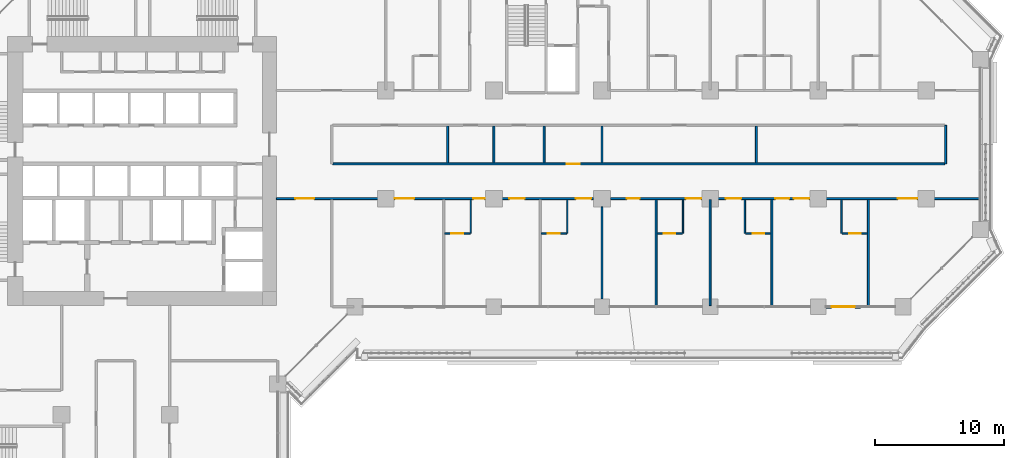
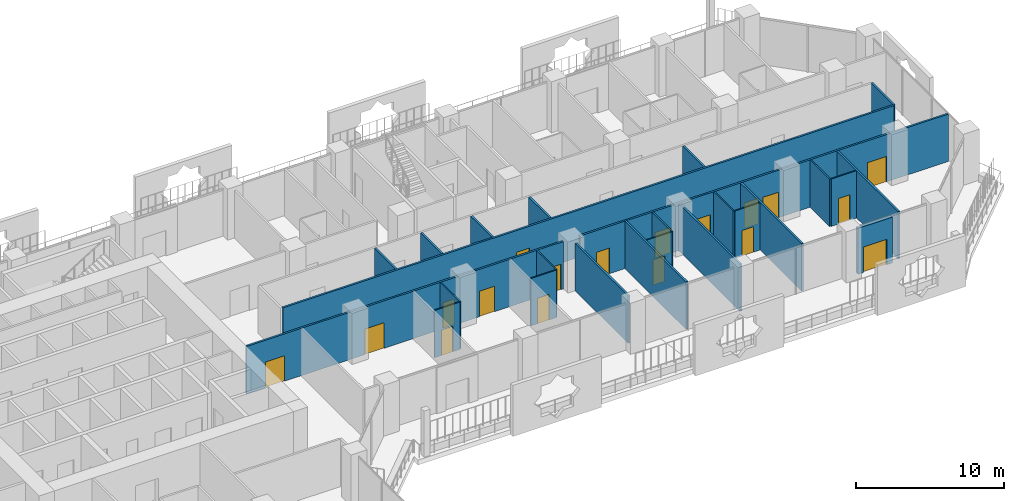
# One storey, part 16 of 28: 25 walls, 18 doors, 18 openings.
"""IFC4 building model written with IfcOpenShell, lengths in metres."""

import ifcopenshell
import ifcopenshell.guid

model = None  # the IFC model being written
_history = None  # IfcOwnerHistory: only IFC2X3 demands one
_inside = {}  # id of a spatial element -> (the spatial element, [elements in it])
_under = {}  # id of a project, library or spatial element -> (it, [spatial elements below it])
_declared = {}  # id of a project -> (the project, [libraries it declares])
_typed = {}  # id of a type object -> (the type object, [elements of that type])
_made_of = {}  # id of a material, layer set ... -> (it, [elements and type objects made of it])


def new_model(schema):
    """Start an empty IFC model of exactly this schema.

    Asked for "IFC4X3", IfcOpenShell would pick the latest addendum, in which some entities
    have other attributes; the version numbers below select the first issue.
    IFC2X3 requires an IfcOwnerHistory on every rooted entity: one is made here for all.
    """
    global model, _history
    if schema == "IFC4X3":
        model = ifcopenshell.file(schema_version=(4, 3, 0, 0))
    else:
        model = ifcopenshell.file(schema=schema)
    _inside.clear()
    _under.clear()
    _declared.clear()
    _typed.clear()
    _made_of.clear()
    _history = None
    if model.schema == "IFC2X3":
        org = make("IfcOrganization", Name="unknown")
        user = make(
            "IfcPersonAndOrganization",
            ThePerson=make("IfcPerson", FamilyName="unknown"),
            TheOrganization=org,
        )
        app = make(
            "IfcApplication",
            ApplicationDeveloper=org,
            Version="unknown",
            ApplicationFullName="unknown",
            ApplicationIdentifier="unknown",
        )
        _history = make(
            "IfcOwnerHistory",
            OwningUser=user,
            OwningApplication=app,
            ChangeAction="ADDED",
            CreationDate=0,
        )
    return model


def make(cls, **values):
    """One entity of the class cls with the attributes given. An attribute that is None is left unset."""
    return model.create_entity(
        cls, **{name: value for name, value in values.items() if value is not None}
    )


def rooted(cls, **values):
    """An entity with a GlobalId (a new one), such as an element, a storey or a relation."""
    return make(cls, GlobalId=ifcopenshell.guid.new(), OwnerHistory=_history, **values)


def si_unit(unit_type, name, prefix=None):
    """IfcSIUnit, for example si_unit("LENGTHUNIT", "METRE", prefix="MILLI")."""
    return make("IfcSIUnit", UnitType=unit_type, Prefix=prefix, Name=name)


def assignment(units):
    """IfcUnitAssignment: the units of a project."""
    return None if units is None else make("IfcUnitAssignment", Units=units)


def point(xyz):
    """IfcCartesianPoint."""
    return None if xyz is None else make("IfcCartesianPoint", Coordinates=xyz)


def direction(xyz):
    """IfcDirection."""
    return None if xyz is None else make("IfcDirection", DirectionRatios=xyz)


def frame(location, z_axis=None, x_axis=None):
    """IfcAxis2Placement3D, a coordinate frame: its origin and axes. An axis left out is left unset."""
    return make(
        "IfcAxis2Placement3D",
        Location=point(location),
        Axis=direction(z_axis),
        RefDirection=direction(x_axis),
    )


def frame_2d(location, x_axis=None):
    """IfcAxis2Placement2D, a coordinate frame in the plane: its origin and x axis."""
    return make(
        "IfcAxis2Placement2D", Location=point(location), RefDirection=direction(x_axis)
    )


def origin():
    """The frame at (0, 0, 0) with its axes left unset."""
    return frame((0.0, 0.0, 0.0))


def place(relative_to, where):
    """IfcLocalPlacement: puts the frame where relative to a parent placement (None: the world)."""
    return make(
        "IfcLocalPlacement", PlacementRelTo=relative_to, RelativePlacement=where
    )


def context(
    kind, dimensions, precision=None, world=None, true_north=None, identifier=None
):
    """IfcGeometricRepresentationContext, for example the 3D "Model" context."""
    return make(
        "IfcGeometricRepresentationContext",
        ContextIdentifier=identifier,
        ContextType=kind,
        CoordinateSpaceDimension=dimensions,
        Precision=precision,
        WorldCoordinateSystem=world,
        TrueNorth=true_north,
    )


def subcontext(parent, identifier, kind, view, scale=None):
    """IfcGeometricRepresentationSubContext, for example "Body" below "Model"."""
    return make(
        "IfcGeometricRepresentationSubContext",
        ContextIdentifier=identifier,
        ContextType=kind,
        ParentContext=parent,
        TargetScale=scale,
        TargetView=view,
    )


def project(units=None, contexts=None):
    """IfcProject with its units and contexts."""
    return rooted(
        "IfcProject",
        Name="project",
        RepresentationContexts=contexts,
        UnitsInContext=assignment(units),
    )


def spatial(cls, under=None, at=None, **own):
    """A site, building, storey or space (cls), placed at a placement, below another one or the project."""
    s = rooted(cls, ObjectPlacement=at, **own)
    if under is not None:
        _under.setdefault(under.id(), (under, []))[1].append(s)
    return s


def profile(cls, at=None, kind="AREA", **sizes):
    """A parametric profile (cls). Its sizes go by their IFC names, for example OverallWidth=200.0."""
    return make(cls, ProfileType=kind, Position=at, **sizes)


def rectangle(**sizes):
    """IfcRectangleProfileDef."""
    return profile("IfcRectangleProfileDef", **sizes)


def extrude(swept, where, along, depth):
    """IfcExtrudedAreaSolid: the profile swept, set in the frame where, extruded along a direction by depth."""
    return make(
        "IfcExtrudedAreaSolid",
        SweptArea=swept,
        Position=where,
        ExtrudedDirection=direction(along),
        Depth=depth,
    )


def shape(context_of_items, identifier, shape_type, items):
    """IfcShapeRepresentation: the items that make up one representation, for example the "Body"."""
    return make(
        "IfcShapeRepresentation",
        ContextOfItems=context_of_items,
        RepresentationIdentifier=identifier,
        RepresentationType=shape_type,
        Items=items,
    )


def material(Name=None, Category=None):
    """IfcMaterial."""
    return make("IfcMaterial", Name=Name, Category=Category)


def layer(
    of_material, thickness, ventilated=None, Name=None, Category=None, Priority=None
):
    """IfcMaterialLayer: one layer of a wall or slab, of a material (None: an air gap)."""
    return make(
        "IfcMaterialLayer",
        Material=of_material,
        LayerThickness=thickness,
        IsVentilated=ventilated,
        Name=Name,
        Category=Category,
        Priority=Priority,
    )


def layer_set(layers, Name=None):
    """IfcMaterialLayerSet."""
    return make("IfcMaterialLayerSet", MaterialLayers=layers, LayerSetName=Name)


def made_of(thing, what):
    """Note that an element or type object is made of a material, layer set ...; save() writes the relation."""
    if what is not None:
        _made_of.setdefault(what.id(), (what, []))[1].append(thing)
    return thing


def type_object(cls, material=None, **own):
    """A type object (cls), such as IfcWallType, which elements share."""
    return made_of(rooted(cls, **own), material)


def element(
    cls,
    number,
    at=None,
    inside=None,
    cuts=None,
    type_object=None,
    material=None,
    context=None,
    identifier="Body",
    shape_type=None,
    held_by="IfcProductDefinitionShape",
    body=None,
    shapes=None,
    **own,
):
    """One element of the class cls, such as IfcWall. Its Tag is "e" and its number.

    at: its placement. inside: the storey or other place that contains it. cuts: it is an
    opening in that element (IfcRelVoidsElement). A single representation is given by context,
    identifier, shape_type and body (its items); several are given by shapes. held_by: the class
    of the entity that holds the representations. save() writes the other relations.
    """
    e = rooted(cls, Tag="e%d" % number, ObjectPlacement=at, **own)
    if body is not None:
        shapes = [shape(context, identifier, shape_type, body)]
    if shapes is not None:
        e.Representation = make(held_by, Representations=shapes)
    if inside is not None:
        _inside.setdefault(inside.id(), (inside, []))[1].append(e)
    if cuts is not None:
        rooted(
            "IfcRelVoidsElement", RelatingBuildingElement=cuts, RelatedOpeningElement=e
        )
    if type_object is not None:
        _typed.setdefault(type_object.id(), (type_object, []))[1].append(e)
    return made_of(e, material)


def fill(opening, filler):
    """IfcRelFillsElement: the door or window that sits in an opening."""
    return rooted(
        "IfcRelFillsElement",
        RelatingOpeningElement=opening,
        RelatedBuildingElement=filler,
    )


def aggregate(whole, parts):
    """IfcRelAggregates: a whole, such as a stair, and the parts it consists of."""
    return rooted("IfcRelAggregates", RelatingObject=whole, RelatedObjects=parts)


def save(model, path):
    """Write the relations noted so far, then the file.

    IfcRelAggregates (storeys below a building ...), IfcRelContainedInSpatialStructure (elements
    in a storey), IfcRelDefinesByType, IfcRelAssociatesMaterial and IfcRelDeclares: one each for
    every whole, place, type object, material and project.
    """
    for whole, parts in _under.values():
        aggregate(whole, parts)
    for where, things in _inside.values():
        rooted(
            "IfcRelContainedInSpatialStructure",
            RelatedElements=things,
            RelatingStructure=where,
        )
    for kind, things in _typed.values():
        rooted("IfcRelDefinesByType", RelatedObjects=things, RelatingType=kind)
    for what, things in _made_of.values():
        rooted("IfcRelAssociatesMaterial", RelatedObjects=things, RelatingMaterial=what)
    for by, libraries in _declared.values():
        rooted("IfcRelDeclares", RelatingContext=by, RelatedDefinitions=libraries)
    model.write(path)


model = new_model("IFC4")

# Units and contexts
model_context = context("Model", 3, precision=1e-05, world=origin(), true_north=direction((0.0, 1.0)))
body_context = subcontext(model_context, "Body", "Model", "MODEL_VIEW")
ifc_project = project(units=[si_unit("LENGTHUNIT", "METRE"), si_unit("AREAUNIT", "SQUARE_METRE"), si_unit("VOLUMEUNIT", "CUBIC_METRE"), si_unit("PLANEANGLEUNIT", "RADIAN"), si_unit("MASSUNIT", "GRAM", prefix="KILO")], contexts=[model_context])

# Site, building, storey
site_placement = place(None, origin())
site = spatial("IfcSite", under=ifc_project, at=site_placement, CompositionType="ELEMENT")
building_placement = place(site_placement, origin())
building = spatial("IfcBuilding", under=site, at=building_placement, Name="Kawkab Arch Medical Tower", CompositionType="ELEMENT")
storey_placement = place(building_placement, frame((0.0, 0.0, 68.60009765625)))
storey = spatial("IfcBuildingStorey", under=building, at=storey_placement, Name="L15", CompositionType="ELEMENT", Elevation=68.60009765625)

# Wall, opening, door
ifc_material_1 = material(Name="Bronze clad insulated wall panel")
ifc_layer_1 = layer(ifc_material_1, 0.25)
ifc_layer_set_1 = layer_set([ifc_layer_1], Name="Bronze clad insulated wall panel")
wall_type_1 = type_object("IfcWallType", Name="External wall bay 250", PredefinedType="SOLIDWALL", material=ifc_layer_set_1)
wall_1_placement = place(storey_placement, frame((67.800048828125, -25.199951171875, 0.0), z_axis=(0.0, 0.0, 1.0), x_axis=(1.0, 0.0, 0.0)))
wall_1 = element("IfcWall", 1, at=wall_1_placement, inside=storey, type_object=wall_type_1, Name="External wall bay L15.R07.5.1", PredefinedType="SOLIDWALL", context=body_context, shape_type="SweptSolid", body=[
    extrude(rectangle(XDim=2.6875, YDim=0.25, at=frame_2d((1.34375, 0.0))), origin(), (0.0, 0.0, 1.0), 3.77978515625),
])
opening_1_placement = place(wall_1_placement, frame((0.443603515625, 0.0, 0.0)))
opening_1 = element("IfcOpeningElement", 2, at=opening_1_placement, cuts=wall_1, Name="Opening W15A-702", PredefinedType="OPENING", context=body_context, shape_type="SweptSolid", body=[
    extrude(rectangle(XDim=1.800048828125, YDim=2.10009765625, at=frame_2d((0.89990234375, 1.050048828125))), frame((0.0, 0.135009765625, 0.0), z_axis=(0.0, -1.0, 0.0), x_axis=(1.0, 0.0, 0.0)), (0.0, 0.0, 1.0), 0.27001953125),
])
ifc_material_2 = material(Name="Bronze anodised aluminium door with tinted glass", Category="aluminium")
door_type_1 = type_object("IfcDoorType", Name="Double external door 1800 x 2100", OperationType="DOUBLE_DOOR_SINGLE_SWING", PredefinedType="DOOR", material=ifc_material_2)
door_1_placement = place(opening_1_placement, origin())
door_1 = element("IfcDoor", 3, at=door_1_placement, inside=storey, type_object=door_type_1, Name="External door L15.R07.5.1", OperationType="DOUBLE_DOOR_SINGLE_SWING", OverallHeight=2.10009765625, OverallWidth=1.800048828125, PredefinedType="DOOR", context=body_context, shape_type="SweptSolid", body=[
    extrude(rectangle(XDim=1.800048828125, YDim=2.10009765625, at=frame_2d((0.89990234375, 1.050048828125))), frame((0.0, 0.02490234375, 0.0), z_axis=(0.0, -1.0, 0.0), x_axis=(1.0, 0.0, 0.0)), (0.0, 0.0, 1.0), 0.050048828125),
])
fill(opening_1, door_1)

ifc_material_3 = material(Name="Gypsum board partition on steel studs", Category="steel")
ifc_layer_2 = layer(ifc_material_3, 0.10009765625)
ifc_layer_set_2 = layer_set([ifc_layer_2], Name="Gypsum board partition on steel studs")
wall_type_2 = type_object("IfcWallType", Name="Partition 100", PredefinedType="PARTITIONING", material=ifc_layer_set_2)
wall_2_placement = place(storey_placement, frame((38.175048828125, -19.5, 0.0), z_axis=(0.0, 0.0, 1.0), x_axis=(1.0, 0.0, 0.0)))
wall_2 = element("IfcWall", 4, at=wall_2_placement, inside=storey, type_object=wall_type_2, Name="Partition 100 w009", PredefinedType="PARTITIONING", context=body_context, shape_type="SweptSolid", body=[
    extrude(rectangle(XDim=1.972900390625, YDim=0.10009765625, at=frame_2d((0.986328125, 0.0))), origin(), (0.0, 0.0, 1.0), 3.89990234375),
])
opening_2_placement = place(wall_2_placement, frame((0.52392578125, 0.0, 0.0)))
opening_2 = element("IfcOpeningElement", 5, at=opening_2_placement, cuts=wall_2, Name="Opening W15A-014", PredefinedType="OPENING", context=body_context, shape_type="SweptSolid", body=[
    extrude(rectangle(XDim=0.89990234375, YDim=2.10009765625, at=frame_2d((0.449951171875, 1.050048828125))), frame((0.0, 0.06005859375, 0.0), z_axis=(0.0, -1.0, 0.0), x_axis=(1.0, 0.0, 0.0)), (0.0, 0.0, 1.0), 0.1201171875),
])
ifc_material_4 = material(Name="Timber door leaf", Category="wood")
door_type_2 = type_object("IfcDoorType", Name="Single door 900x2100", OperationType="NOTDEFINED", PredefinedType="DOOR", material=ifc_material_4)
door_2_placement = place(opening_2_placement, origin())
door_2 = element("IfcDoor", 6, at=door_2_placement, inside=storey, type_object=door_type_2, Name="Door W15A-014", OperationType="SINGLE_SWING_RIGHT", OverallHeight=2.10009765625, OverallWidth=0.89990234375, PredefinedType="DOOR", context=body_context, shape_type="SweptSolid", body=[
    extrude(rectangle(XDim=0.89990234375, YDim=2.10009765625, at=frame_2d((0.449951171875, 1.050048828125))), frame((0.0, 0.02490234375, 0.0), z_axis=(0.0, -1.0, 0.0), x_axis=(1.0, 0.0, 0.0)), (0.0, 0.0, 1.0), 0.050048828125),
])
fill(opening_2, door_2)

wall_3_placement = place(storey_placement, frame((45.675048828125, -19.5, 0.0), z_axis=(0.0, 0.0, 1.0), x_axis=(1.0, 0.0, 0.0)))
wall_3 = element("IfcWall", 7, at=wall_3_placement, inside=storey, type_object=wall_type_2, Name="Partition 100 w010", PredefinedType="PARTITIONING", context=body_context, shape_type="SweptSolid", body=[
    extrude(rectangle(XDim=1.974853515625, YDim=0.10009765625, at=frame_2d((0.9873046875, 0.0))), origin(), (0.0, 0.0, 1.0), 3.89990234375),
])
opening_3_placement = place(wall_3_placement, frame((0.52490234375, 0.0, 0.0)))
opening_3 = element("IfcOpeningElement", 8, at=opening_3_placement, cuts=wall_3, Name="Opening W15A-015", PredefinedType="OPENING", context=body_context, shape_type="SweptSolid", body=[
    extrude(rectangle(XDim=0.89990234375, YDim=2.10009765625, at=frame_2d((0.449951171875, 1.050048828125))), frame((0.0, 0.06005859375, 0.0), z_axis=(0.0, -1.0, 0.0), x_axis=(1.0, 0.0, 0.0)), (0.0, 0.0, 1.0), 0.1201171875),
])
door_3_placement = place(opening_3_placement, origin())
door_3 = element("IfcDoor", 9, at=door_3_placement, inside=storey, type_object=door_type_2, Name="Door W15A-015", OperationType="SINGLE_SWING_RIGHT", OverallHeight=2.10009765625, OverallWidth=0.89990234375, PredefinedType="DOOR", context=body_context, shape_type="SweptSolid", body=[
    extrude(rectangle(XDim=0.89990234375, YDim=2.10009765625, at=frame_2d((0.449951171875, 1.050048828125))), frame((0.0, 0.02490234375, 0.0), z_axis=(0.0, -1.0, 0.0), x_axis=(1.0, 0.0, 0.0)), (0.0, 0.0, 1.0), 0.050048828125),
])
fill(opening_3, door_3)

wall_4_placement = place(storey_placement, frame((54.675048828125, -19.5, 0.0), z_axis=(0.0, 0.0, 1.0), x_axis=(1.0, 0.0, 0.0)))
wall_4 = element("IfcWall", 10, at=wall_4_placement, inside=storey, type_object=wall_type_2, Name="Partition 100 w011", PredefinedType="PARTITIONING", context=body_context, shape_type="SweptSolid", body=[
    extrude(rectangle(XDim=1.974853515625, YDim=0.10009765625, at=frame_2d((0.9873046875, 0.0))), origin(), (0.0, 0.0, 1.0), 3.89990234375),
])
opening_4_placement = place(wall_4_placement, frame((0.52490234375, 0.0, 0.0)))
opening_4 = element("IfcOpeningElement", 11, at=opening_4_placement, cuts=wall_4, Name="Opening W15A-016", PredefinedType="OPENING", context=body_context, shape_type="SweptSolid", body=[
    extrude(rectangle(XDim=0.89990234375, YDim=2.10009765625, at=frame_2d((0.449951171875, 1.050048828125))), frame((0.0, 0.06005859375, 0.0), z_axis=(0.0, -1.0, 0.0), x_axis=(1.0, 0.0, 0.0)), (0.0, 0.0, 1.0), 0.1201171875),
])
door_4_placement = place(opening_4_placement, origin())
door_4 = element("IfcDoor", 12, at=door_4_placement, inside=storey, type_object=door_type_2, Name="Door W15A-016", OperationType="SINGLE_SWING_LEFT", OverallHeight=2.10009765625, OverallWidth=0.89990234375, PredefinedType="DOOR", context=body_context, shape_type="SweptSolid", body=[
    extrude(rectangle(XDim=0.89990234375, YDim=2.10009765625, at=frame_2d((0.449951171875, 1.050048828125))), frame((0.0, 0.02490234375, 0.0), z_axis=(0.0, -1.0, 0.0), x_axis=(1.0, 0.0, 0.0)), (0.0, 0.0, 1.0), 0.050048828125),
])
fill(opening_4, door_4)

wall_5_placement = place(storey_placement, frame((61.550048828125, -19.5, 0.0), z_axis=(0.0, 0.0, 1.0), x_axis=(1.0, 0.0, 0.0)))
wall_5 = element("IfcWall", 13, at=wall_5_placement, inside=storey, type_object=wall_type_2, Name="Partition 100 w012", PredefinedType="PARTITIONING", context=body_context, shape_type="SweptSolid", body=[
    extrude(rectangle(XDim=1.974853515625, YDim=0.10009765625, at=frame_2d((0.9873046875, 0.0))), origin(), (0.0, 0.0, 1.0), 3.89990234375),
])
opening_5_placement = place(wall_5_placement, frame((0.550048828125, 0.0, 0.0)))
opening_5 = element("IfcOpeningElement", 14, at=opening_5_placement, cuts=wall_5, Name="Opening W15A-017", PredefinedType="OPENING", context=body_context, shape_type="SweptSolid", body=[
    extrude(rectangle(XDim=0.89990234375, YDim=2.10009765625, at=frame_2d((0.449951171875, 1.050048828125))), frame((0.0, 0.06005859375, 0.0), z_axis=(0.0, -1.0, 0.0), x_axis=(1.0, 0.0, 0.0)), (0.0, 0.0, 1.0), 0.1201171875),
])
door_5_placement = place(opening_5_placement, origin())
door_5 = element("IfcDoor", 15, at=door_5_placement, inside=storey, type_object=door_type_2, Name="Door W15A-017", OperationType="SINGLE_SWING_LEFT", OverallHeight=2.10009765625, OverallWidth=0.89990234375, PredefinedType="DOOR", context=body_context, shape_type="SweptSolid", body=[
    extrude(rectangle(XDim=0.89990234375, YDim=2.10009765625, at=frame_2d((0.449951171875, 1.050048828125))), frame((0.0, 0.02490234375, 0.0), z_axis=(0.0, -1.0, 0.0), x_axis=(1.0, 0.0, 0.0)), (0.0, 0.0, 1.0), 0.050048828125),
])
fill(opening_5, door_5)

wall_6_placement = place(storey_placement, frame((69.052001953125, -19.5, 0.0), z_axis=(0.0, 0.0, 1.0), x_axis=(1.0, 0.0, 0.0)))
wall_6 = element("IfcWall", 16, at=wall_6_placement, inside=storey, type_object=wall_type_2, Name="Partition 100 w013", PredefinedType="PARTITIONING", context=body_context, shape_type="SweptSolid", body=[
    extrude(rectangle(XDim=1.972900390625, YDim=0.10009765625, at=frame_2d((0.986328125, 0.0))), origin(), (0.0, 0.0, 1.0), 3.89990234375),
])
opening_6_placement = place(wall_6_placement, frame((0.549072265625, 0.0, 0.0)))
opening_6 = element("IfcOpeningElement", 17, at=opening_6_placement, cuts=wall_6, Name="Opening W15A-018", PredefinedType="OPENING", context=body_context, shape_type="SweptSolid", body=[
    extrude(rectangle(XDim=0.89990234375, YDim=2.10009765625, at=frame_2d((0.449951171875, 1.050048828125))), frame((0.0, 0.06005859375, 0.0), z_axis=(0.0, -1.0, 0.0), x_axis=(1.0, 0.0, 0.0)), (0.0, 0.0, 1.0), 0.1201171875),
])
door_6_placement = place(opening_6_placement, origin())
door_6 = element("IfcDoor", 18, at=door_6_placement, inside=storey, type_object=door_type_2, Name="Door W15A-018", OperationType="SINGLE_SWING_RIGHT", OverallHeight=2.10009765625, OverallWidth=0.89990234375, PredefinedType="DOOR", context=body_context, shape_type="SweptSolid", body=[
    extrude(rectangle(XDim=0.89990234375, YDim=2.10009765625, at=frame_2d((0.449951171875, 1.050048828125))), frame((0.0, 0.02490234375, 0.0), z_axis=(0.0, -1.0, 0.0), x_axis=(1.0, 0.0, 0.0)), (0.0, 0.0, 1.0), 0.050048828125),
])
fill(opening_6, door_6)

# Walls
wall_7_placement = place(storey_placement, frame((40.199951171875, -19.4990234375, 0.0), z_axis=(0.0, 0.0, 1.0), x_axis=(0.0, 1.0, 0.0)))
element("IfcWall", 19, at=wall_7_placement, inside=storey, type_object=wall_type_2, Name="Partition 100 w027", PredefinedType="PARTITIONING", context=body_context, shape_type="SweptSolid", body=[
    extrude(rectangle(XDim=2.6240234375, YDim=0.10009765625, at=frame_2d((1.31201171875, 0.0))), origin(), (0.0, 0.0, 1.0), 3.89990234375),
])
for number, where, z_axis, x_axis, name in (
    (20, (47.699951171875, -19.5, 0.0), (0.0, 0.0, 1.0), (0.0, 1.0, 0.0), "Partition 100 w028"),
    (21, (56.699951171875, -19.5, 0.0), (0.0, 0.0, 1.0), (0.0, 1.0, 0.0), "Partition 100 w030"),
    (22, (61.5, -19.5, 0.0), (0.0, 0.0, 1.0), (0.0, 1.0, 0.0), "Partition 100 w032"),
):
    element("IfcWall", number, at=place(storey_placement, frame(where, z_axis=z_axis, x_axis=x_axis)), inside=storey, type_object=wall_type_2, Name=name, PredefinedType="PARTITIONING", context=body_context, shape_type="SweptSolid", body=[
        extrude(rectangle(XDim=2.625, YDim=0.10009765625, at=frame_2d((1.3125, 0.0))), origin(), (0.0, 0.0, 1.0), 3.89990234375),
    ])
wall_8_placement = place(storey_placement, frame((69.0, -19.4990234375, 0.0), z_axis=(0.0, 0.0, 1.0), x_axis=(0.0, 1.0, 0.0)))
element("IfcWall", 23, at=wall_8_placement, inside=storey, type_object=wall_type_2, Name="Partition 100 w034", PredefinedType="PARTITIONING", context=body_context, shape_type="SweptSolid", body=[
    extrude(rectangle(XDim=2.6240234375, YDim=0.10009765625, at=frame_2d((1.31201171875, 0.0))), origin(), (0.0, 0.0, 1.0), 3.89990234375),
])

# Wall, openings, doors
ifc_material_5 = material(Name="Gypsum board partition on steel studs, mineral wool", Category="steel")
ifc_layer_3 = layer(ifc_material_5, 0.14990234375)
ifc_layer_set_3 = layer_set([ifc_layer_3], Name="Gypsum board partition on steel studs, mineral wool")
wall_type_3 = type_object("IfcWallType", Name="Partition 150", PredefinedType="PARTITIONING", material=ifc_layer_set_3)
wall_9_placement = place(storey_placement, frame((25.10009765625, -16.800048828125, 0.0), z_axis=(0.0, 0.0, 1.0), x_axis=(1.0, 0.0, 0.0)))
wall_9 = element("IfcWall", 24, at=wall_9_placement, inside=storey, type_object=wall_type_3, Name="Partition 150 w056", PredefinedType="PARTITIONING", context=body_context, shape_type="SweptSolid", body=[
    extrude(rectangle(XDim=24.64990234375, YDim=0.14990234375, at=frame_2d((12.324951171875, 0.0))), origin(), (0.0, 0.0, 1.0), 3.89990234375),
])
opening_7_placement = place(wall_9_placement, frame((1.449951171875, 0.0, 0.0)))
opening_7 = element("IfcOpeningElement", 25, at=opening_7_placement, cuts=wall_9, Name="Opening W15A-001", PredefinedType="OPENING", context=body_context, shape_type="SweptSolid", body=[
    extrude(rectangle(XDim=1.5, YDim=2.10009765625, at=frame_2d((0.75, 1.050048828125))), frame((0.0, 0.0849609375, 0.0), z_axis=(0.0, -1.0, 0.0), x_axis=(1.0, 0.0, 0.0)), (0.0, 0.0, 1.0), 0.169921875),
])
opening_8_placement = place(wall_9_placement, frame((9.199951171875, 0.0, 0.0)))
opening_8 = element("IfcOpeningElement", 26, at=opening_8_placement, cuts=wall_9, Name="Opening W15A-004", PredefinedType="OPENING", context=body_context, shape_type="SweptSolid", body=[
    extrude(rectangle(XDim=1.5, YDim=2.10009765625, at=frame_2d((0.75, 1.050048828125))), frame((0.0, 0.0849609375, 0.0), z_axis=(0.0, -1.0, 0.0), x_axis=(1.0, 0.0, 0.0)), (0.0, 0.0, 1.0), 0.169921875),
])
opening_9_placement = place(wall_9_placement, frame((18.10009765625, 0.0, 0.0)))
opening_9 = element("IfcOpeningElement", 27, at=opening_9_placement, cuts=wall_9, Name="Opening W15A-051", PredefinedType="OPENING", context=body_context, shape_type="SweptSolid", body=[
    extrude(rectangle(XDim=1.199951171875, YDim=2.10009765625, at=frame_2d((0.60009765625, 1.050048828125))), frame((0.0, 0.0849609375, 0.0), z_axis=(0.0, -1.0, 0.0), x_axis=(1.0, 0.0, 0.0)), (0.0, 0.0, 1.0), 0.169921875),
])
opening_10_placement = place(wall_9_placement, frame((15.300048828125, 0.0, 0.0)))
opening_10 = element("IfcOpeningElement", 28, at=opening_10_placement, cuts=wall_9, Name="Opening W15A-027", PredefinedType="OPENING", context=body_context, shape_type="SweptSolid", body=[
    extrude(rectangle(XDim=0.89990234375, YDim=2.10009765625, at=frame_2d((0.449951171875, 1.050048828125))), frame((0.0, 0.0849609375, 0.0), z_axis=(0.0, -1.0, 0.0), x_axis=(1.0, 0.0, 0.0)), (0.0, 0.0, 1.0), 0.169921875),
])
opening_11_placement = place(wall_9_placement, frame((23.25, 0.0, 0.0)))
opening_11 = element("IfcOpeningElement", 29, at=opening_11_placement, cuts=wall_9, Name="Opening W15A-052", PredefinedType="OPENING", context=body_context, shape_type="SweptSolid", body=[
    extrude(rectangle(XDim=1.199951171875, YDim=2.10009765625, at=frame_2d((0.60009765625, 1.050048828125))), frame((0.0, 0.0849609375, 0.0), z_axis=(0.0, -1.0, 0.0), x_axis=(1.0, 0.0, 0.0)), (0.0, 0.0, 1.0), 0.169921875),
])
ifc_material_6 = material(Name="Hollow metal door leaf")
door_type_3 = type_object("IfcDoorType", Name="Double door 1500x2100 FD30S", OperationType="NOTDEFINED", PredefinedType="DOOR", material=ifc_material_6)
door_7_placement = place(opening_7_placement, origin())
door_7 = element("IfcDoor", 30, at=door_7_placement, inside=storey, type_object=door_type_3, Name="Door W15A-001", OperationType="DOUBLE_DOOR_SINGLE_SWING", OverallHeight=2.10009765625, OverallWidth=1.5, PredefinedType="DOOR", context=body_context, shape_type="SweptSolid", body=[
    extrude(rectangle(XDim=1.5, YDim=2.10009765625, at=frame_2d((0.75, 1.050048828125))), frame((0.0, 0.02490234375, 0.0), z_axis=(0.0, -1.0, 0.0), x_axis=(1.0, 0.0, 0.0)), (0.0, 0.0, 1.0), 0.050048828125),
])
fill(opening_7, door_7)
door_8_placement = place(opening_8_placement, origin())
door_8 = element("IfcDoor", 31, at=door_8_placement, inside=storey, type_object=door_type_3, Name="Door W15A-004", OperationType="DOUBLE_DOOR_SINGLE_SWING", OverallHeight=2.10009765625, OverallWidth=1.5, PredefinedType="DOOR", context=body_context, shape_type="SweptSolid", body=[
    extrude(rectangle(XDim=1.5, YDim=2.10009765625, at=frame_2d((0.75, 1.050048828125))), frame((0.0, 0.02490234375, 0.0), z_axis=(0.0, -1.0, 0.0), x_axis=(1.0, 0.0, 0.0)), (0.0, 0.0, 1.0), 0.050048828125),
])
fill(opening_8, door_8)
ifc_material_7 = material(Name="Hollow metal door leaf")
door_type_4 = type_object("IfcDoorType", Name="Single door 1200x2100 FD30S", OperationType="NOTDEFINED", PredefinedType="DOOR", material=ifc_material_7)
door_9_placement = place(opening_9_placement, origin())
door_9 = element("IfcDoor", 32, at=door_9_placement, inside=storey, type_object=door_type_4, Name="Door W15A-051", OperationType="SINGLE_SWING_LEFT", OverallHeight=2.10009765625, OverallWidth=1.199951171875, PredefinedType="DOOR", context=body_context, shape_type="SweptSolid", body=[
    extrude(rectangle(XDim=1.199951171875, YDim=2.10009765625, at=frame_2d((0.60009765625, 1.050048828125))), frame((0.0, 0.02490234375, 0.0), z_axis=(0.0, -1.0, 0.0), x_axis=(1.0, 0.0, 0.0)), (0.0, 0.0, 1.0), 0.050048828125),
])
fill(opening_9, door_9)
door_10_placement = place(opening_11_placement, origin())
door_10 = element("IfcDoor", 33, at=door_10_placement, inside=storey, type_object=door_type_4, Name="Door W15A-052", OperationType="SINGLE_SWING_LEFT", OverallHeight=2.10009765625, OverallWidth=1.199951171875, PredefinedType="DOOR", context=body_context, shape_type="SweptSolid", body=[
    extrude(rectangle(XDim=1.199951171875, YDim=2.10009765625, at=frame_2d((0.60009765625, 1.050048828125))), frame((0.0, 0.02490234375, 0.0), z_axis=(0.0, -1.0, 0.0), x_axis=(1.0, 0.0, 0.0)), (0.0, 0.0, 1.0), 0.050048828125),
])
fill(opening_11, door_10)
ifc_material_8 = material(Name="Hollow metal door leaf")
door_type_5 = type_object("IfcDoorType", Name="Single door 900x2100 FD30S", OperationType="NOTDEFINED", PredefinedType="DOOR", material=ifc_material_8)
door_11_placement = place(opening_10_placement, origin())
door_11 = element("IfcDoor", 34, at=door_11_placement, inside=storey, type_object=door_type_5, Name="Door W15A-027", OperationType="SINGLE_SWING_LEFT", OverallHeight=2.10009765625, OverallWidth=0.89990234375, PredefinedType="DOOR", context=body_context, shape_type="SweptSolid", body=[
    extrude(rectangle(XDim=0.89990234375, YDim=2.10009765625, at=frame_2d((0.449951171875, 1.050048828125))), frame((0.0, 0.02490234375, 0.0), z_axis=(0.0, -1.0, 0.0), x_axis=(1.0, 0.0, 0.0)), (0.0, 0.0, 1.0), 0.050048828125),
])
fill(opening_10, door_11)

wall_10_placement = place(storey_placement, frame((51.050048828125, -16.800048828125, 0.0), z_axis=(0.0, 0.0, 1.0), x_axis=(1.0, 0.0, 0.0)))
wall_10 = element("IfcWall", 35, at=wall_10_placement, inside=storey, type_object=wall_type_3, Name="Partition 150 w057", PredefinedType="PARTITIONING", context=body_context, shape_type="SweptSolid", body=[
    extrude(rectangle(XDim=28.669921875, YDim=0.14990234375, at=frame_2d((14.3349609375, 0.0))), origin(), (0.0, 0.0, 1.0), 3.89990234375),
])
opening_12_placement = place(wall_10_placement, frame((1.27490234375, 0.0, 0.0)))
opening_12 = element("IfcOpeningElement", 36, at=opening_12_placement, cuts=wall_10, Name="Opening W15A-030", PredefinedType="OPENING", context=body_context, shape_type="SweptSolid", body=[
    extrude(rectangle(XDim=1.0, YDim=2.10009765625, at=frame_2d((0.5, 1.050048828125))), frame((0.0, 0.0849609375, 0.0), z_axis=(0.0, -1.0, 0.0), x_axis=(1.0, 0.0, 0.0)), (0.0, 0.0, 1.0), 0.169921875),
])
opening_13_placement = place(wall_10_placement, frame((5.85009765625, 0.0, 0.0)))
opening_13 = element("IfcOpeningElement", 37, at=opening_13_placement, cuts=wall_10, Name="Opening W15A-053", PredefinedType="OPENING", context=body_context, shape_type="SweptSolid", body=[
    extrude(rectangle(XDim=1.199951171875, YDim=2.10009765625, at=frame_2d((0.60009765625, 1.050048828125))), frame((0.0, 0.0849609375, 0.0), z_axis=(0.0, -1.0, 0.0), x_axis=(1.0, 0.0, 0.0)), (0.0, 0.0, 1.0), 0.169921875),
])
opening_14_placement = place(wall_10_placement, frame((8.949951171875, 0.0, 0.0)))
opening_14 = element("IfcOpeningElement", 38, at=opening_14_placement, cuts=wall_10, Name="Opening W15A-054", PredefinedType="OPENING", context=body_context, shape_type="SweptSolid", body=[
    extrude(rectangle(XDim=1.199951171875, YDim=2.10009765625, at=frame_2d((0.60009765625, 1.050048828125))), frame((0.0, 0.0849609375, 0.0), z_axis=(0.0, -1.0, 0.0), x_axis=(1.0, 0.0, 0.0)), (0.0, 0.0, 1.0), 0.169921875),
])
opening_15_placement = place(wall_10_placement, frame((14.25, 0.0, 0.0)))
opening_15 = element("IfcOpeningElement", 39, at=opening_15_placement, cuts=wall_10, Name="Opening W15A-055", PredefinedType="OPENING", context=body_context, shape_type="SweptSolid", body=[
    extrude(rectangle(XDim=1.199951171875, YDim=2.10009765625, at=frame_2d((0.60009765625, 1.050048828125))), frame((0.0, 0.0849609375, 0.0), z_axis=(0.0, -1.0, 0.0), x_axis=(1.0, 0.0, 0.0)), (0.0, 0.0, 1.0), 0.169921875),
])
opening_16_placement = place(wall_10_placement, frame((12.800048828125, 0.0, 0.0)))
opening_16 = element("IfcOpeningElement", 40, at=opening_16_placement, cuts=wall_10, Name="Opening W15A-043", PredefinedType="OPENING", context=body_context, shape_type="SweptSolid", body=[
    extrude(rectangle(XDim=1.10009765625, YDim=2.10009765625, at=frame_2d((0.550048828125, 1.050048828125))), frame((0.0, 0.0849609375, 0.0), z_axis=(0.0, -1.0, 0.0), x_axis=(1.0, 0.0, 0.0)), (0.0, 0.0, 1.0), 0.169921875),
])
opening_17_placement = place(wall_10_placement, frame((22.35009765625, 0.0, 0.0)))
opening_17 = element("IfcOpeningElement", 41, at=opening_17_placement, cuts=wall_10, Name="Opening W15A-005", PredefinedType="OPENING", context=body_context, shape_type="SweptSolid", body=[
    extrude(rectangle(XDim=1.5, YDim=2.10009765625, at=frame_2d((0.75, 1.050048828125))), frame((0.0, 0.0849609375, 0.0), z_axis=(0.0, -1.0, 0.0), x_axis=(1.0, 0.0, 0.0)), (0.0, 0.0, 1.0), 0.169921875),
])
door_12_placement = place(opening_17_placement, origin())
door_12 = element("IfcDoor", 42, at=door_12_placement, inside=storey, type_object=door_type_3, Name="Door W15A-005", OperationType="DOUBLE_DOOR_SINGLE_SWING", OverallHeight=2.10009765625, OverallWidth=1.5, PredefinedType="DOOR", context=body_context, shape_type="SweptSolid", body=[
    extrude(rectangle(XDim=1.5, YDim=2.10009765625, at=frame_2d((0.75, 1.050048828125))), frame((0.0, 0.02490234375, 0.0), z_axis=(0.0, -1.0, 0.0), x_axis=(1.0, 0.0, 0.0)), (0.0, 0.0, 1.0), 0.050048828125),
])
fill(opening_17, door_12)
ifc_material_9 = material(Name="Timber door leaf", Category="wood")
door_type_6 = type_object("IfcDoorType", Name="Single door 1000x2100", OperationType="NOTDEFINED", PredefinedType="DOOR", material=ifc_material_9)
door_13_placement = place(opening_12_placement, origin())
door_13 = element("IfcDoor", 43, at=door_13_placement, inside=storey, type_object=door_type_6, Name="Door W15A-030", OperationType="SINGLE_SWING_RIGHT", OverallHeight=2.10009765625, OverallWidth=1.0, PredefinedType="DOOR", context=body_context, shape_type="SweptSolid", body=[
    extrude(rectangle(XDim=1.0, YDim=2.10009765625, at=frame_2d((0.5, 1.050048828125))), frame((0.0, 0.02490234375, 0.0), z_axis=(0.0, -1.0, 0.0), x_axis=(1.0, 0.0, 0.0)), (0.0, 0.0, 1.0), 0.050048828125),
])
fill(opening_12, door_13)
ifc_material_10 = material(Name="Hollow metal door leaf")
door_type_7 = type_object("IfcDoorType", Name="Single door 1100x2100 FD30S", OperationType="NOTDEFINED", PredefinedType="DOOR", material=ifc_material_10)
door_14_placement = place(opening_16_placement, origin())
door_14 = element("IfcDoor", 44, at=door_14_placement, inside=storey, type_object=door_type_7, Name="Door W15A-043", OperationType="SINGLE_SWING_RIGHT", OverallHeight=2.10009765625, OverallWidth=1.10009765625, PredefinedType="DOOR", context=body_context, shape_type="SweptSolid", body=[
    extrude(rectangle(XDim=1.10009765625, YDim=2.10009765625, at=frame_2d((0.550048828125, 1.050048828125))), frame((0.0, 0.02490234375, 0.0), z_axis=(0.0, -1.0, 0.0), x_axis=(1.0, 0.0, 0.0)), (0.0, 0.0, 1.0), 0.050048828125),
])
fill(opening_16, door_14)
door_15_placement = place(opening_13_placement, origin())
door_15 = element("IfcDoor", 45, at=door_15_placement, inside=storey, type_object=door_type_4, Name="Door W15A-053", OperationType="SINGLE_SWING_RIGHT", OverallHeight=2.10009765625, OverallWidth=1.199951171875, PredefinedType="DOOR", context=body_context, shape_type="SweptSolid", body=[
    extrude(rectangle(XDim=1.199951171875, YDim=2.10009765625, at=frame_2d((0.60009765625, 1.050048828125))), frame((0.0, 0.02490234375, 0.0), z_axis=(0.0, -1.0, 0.0), x_axis=(1.0, 0.0, 0.0)), (0.0, 0.0, 1.0), 0.050048828125),
])
fill(opening_13, door_15)
door_16_placement = place(opening_14_placement, origin())
door_16 = element("IfcDoor", 46, at=door_16_placement, inside=storey, type_object=door_type_4, Name="Door W15A-054", OperationType="SINGLE_SWING_RIGHT", OverallHeight=2.10009765625, OverallWidth=1.199951171875, PredefinedType="DOOR", context=body_context, shape_type="SweptSolid", body=[
    extrude(rectangle(XDim=1.199951171875, YDim=2.10009765625, at=frame_2d((0.60009765625, 1.050048828125))), frame((0.0, 0.02490234375, 0.0), z_axis=(0.0, -1.0, 0.0), x_axis=(1.0, 0.0, 0.0)), (0.0, 0.0, 1.0), 0.050048828125),
])
fill(opening_14, door_16)
door_17_placement = place(opening_15_placement, origin())
door_17 = element("IfcDoor", 47, at=door_17_placement, inside=storey, type_object=door_type_4, Name="Door W15A-055", OperationType="SINGLE_SWING_LEFT", OverallHeight=2.10009765625, OverallWidth=1.199951171875, PredefinedType="DOOR", context=body_context, shape_type="SweptSolid", body=[
    extrude(rectangle(XDim=1.199951171875, YDim=2.10009765625, at=frame_2d((0.60009765625, 1.050048828125))), frame((0.0, 0.02490234375, 0.0), z_axis=(0.0, -1.0, 0.0), x_axis=(1.0, 0.0, 0.0)), (0.0, 0.0, 1.0), 0.050048828125),
])
fill(opening_15, door_17)

# Wall, opening, door
wall_11_placement = place(storey_placement, frame((29.47509765625, -14.10009765625, 0.0), z_axis=(0.0, 0.0, 1.0), x_axis=(1.0, 0.0, 0.0)))
wall_11 = element("IfcWall", 48, at=wall_11_placement, inside=storey, type_object=wall_type_3, Name="Partition 150 w058", PredefinedType="PARTITIONING", context=body_context, shape_type="SweptSolid", body=[
    extrude(rectangle(XDim=47.5498046875, YDim=0.14990234375, at=frame_2d((23.77490234375, 0.0))), origin(), (0.0, 0.0, 1.0), 3.89990234375),
])
opening_18_placement = place(wall_11_placement, frame((18.175048828125, 0.0, 0.0)))
opening_18 = element("IfcOpeningElement", 49, at=opening_18_placement, cuts=wall_11, Name="Opening W15A-034", PredefinedType="OPENING", context=body_context, shape_type="SweptSolid", body=[
    extrude(rectangle(XDim=1.0, YDim=2.10009765625, at=frame_2d((0.5, 1.050048828125))), frame((0.0, 0.0849609375, 0.0), z_axis=(0.0, -1.0, 0.0), x_axis=(1.0, 0.0, 0.0)), (0.0, 0.0, 1.0), 0.169921875),
])
ifc_material_11 = material(Name="Hollow metal door leaf")
door_type_8 = type_object("IfcDoorType", Name="Single door 1000x2100 FD30S", OperationType="NOTDEFINED", PredefinedType="DOOR", material=ifc_material_11)
door_18_placement = place(opening_18_placement, origin())
door_18 = element("IfcDoor", 50, at=door_18_placement, inside=storey, type_object=door_type_8, Name="Door W15A-034", OperationType="SINGLE_SWING_LEFT", OverallHeight=2.10009765625, OverallWidth=1.0, PredefinedType="DOOR", context=body_context, shape_type="SweptSolid", body=[
    extrude(rectangle(XDim=1.0, YDim=2.10009765625, at=frame_2d((0.5, 1.050048828125))), frame((0.0, 0.02490234375, 0.0), z_axis=(0.0, -1.0, 0.0), x_axis=(1.0, 0.0, 0.0)), (0.0, 0.0, 1.0), 0.050048828125),
])
fill(opening_18, door_18)

# Walls
for number, where, z_axis, x_axis, name in (
    (51, (38.39990234375, -14.02490234375, 0.0), (0.0, 0.0, 1.0), (0.0, 1.0, 0.0), "Partition 150 w079"),
    (52, (42.0, -14.02490234375, 0.0), (0.0, 0.0, 1.0), (0.0, 1.0, 0.0), "Partition 150 w082"),
    (53, (45.89990234375, -14.02490234375, 0.0), (0.0, 0.0, 1.0), (0.0, 1.0, 0.0), "Partition 150 w085"),
):
    element("IfcWall", number, at=place(storey_placement, frame(where, z_axis=z_axis, x_axis=x_axis)), inside=storey, type_object=wall_type_3, Name=name, PredefinedType="PARTITIONING", context=body_context, shape_type="SweptSolid", body=[
        extrude(rectangle(XDim=2.849853515625, YDim=0.14990234375, at=frame_2d((1.4248046875, 0.0))), origin(), (0.0, 0.0, 1.0), 3.89990234375),
    ])
wall_12_placement = place(storey_placement, frame((50.39990234375, -24.60009765625, 0.0), z_axis=(0.0, 0.0, 1.0), x_axis=(0.0, 1.0, 0.0)))
element("IfcWall", 54, at=wall_12_placement, inside=storey, type_object=wall_type_3, Name="Partition 150 w086", PredefinedType="PARTITIONING", context=body_context, shape_type="SweptSolid", body=[
    extrude(rectangle(XDim=7.150146484375, YDim=0.14990234375, at=frame_2d((3.5751953125, 0.0))), origin(), (0.0, 0.0, 1.0), 3.89990234375),
])
wall_13_placement = place(storey_placement, frame((50.39990234375, -14.02490234375, 0.0), z_axis=(0.0, 0.0, 1.0), x_axis=(0.0, 1.0, 0.0)))
element("IfcWall", 55, at=wall_13_placement, inside=storey, type_object=wall_type_3, Name="Partition 150 w087", PredefinedType="PARTITIONING", context=body_context, shape_type="SweptSolid", body=[
    extrude(rectangle(XDim=2.849853515625, YDim=0.14990234375, at=frame_2d((1.4248046875, 0.0))), origin(), (0.0, 0.0, 1.0), 3.89990234375),
])
for number, where, z_axis, x_axis, name in (
    (56, (54.60009765625, -25.1201171875, 0.0), (0.0, 0.0, 1.0), (0.0, 1.0, 0.0), "Partition 150 w091"),
    (57, (58.800048828125, -25.1201171875, 0.0), (0.0, 0.0, 1.0), (0.0, 1.0, 0.0), "Partition 150 w092"),
):
    element("IfcWall", number, at=place(storey_placement, frame(where, z_axis=z_axis, x_axis=x_axis)), inside=storey, type_object=wall_type_3, Name=name, PredefinedType="PARTITIONING", context=body_context, shape_type="SweptSolid", body=[
        extrude(rectangle(XDim=8.2451171875, YDim=0.14990234375, at=frame_2d((4.12255859375, 0.0))), origin(), (0.0, 0.0, 1.0), 3.89990234375),
    ])
wall_14_placement = place(storey_placement, frame((62.39990234375, -14.02490234375, 0.0), z_axis=(0.0, 0.0, 1.0), x_axis=(0.0, 1.0, 0.0)))
element("IfcWall", 58, at=wall_14_placement, inside=storey, type_object=wall_type_3, Name="Partition 150 w094", PredefinedType="PARTITIONING", context=body_context, shape_type="SweptSolid", body=[
    extrude(rectangle(XDim=2.849853515625, YDim=0.14990234375, at=frame_2d((1.4248046875, 0.0))), origin(), (0.0, 0.0, 1.0), 3.89990234375),
])
for number, where, z_axis, x_axis, name in (
    (59, (63.60009765625, -25.1201171875, 0.0), (0.0, 0.0, 1.0), (0.0, 1.0, 0.0), "Partition 150 w096"),
    (60, (71.10009765625, -25.1201171875, 0.0), (0.0, 0.0, 1.0), (0.0, 1.0, 0.0), "Partition 150 w098"),
):
    element("IfcWall", number, at=place(storey_placement, frame(where, z_axis=z_axis, x_axis=x_axis)), inside=storey, type_object=wall_type_3, Name=name, PredefinedType="PARTITIONING", context=body_context, shape_type="SweptSolid", body=[
        extrude(rectangle(XDim=8.2451171875, YDim=0.14990234375, at=frame_2d((4.12255859375, 0.0))), origin(), (0.0, 0.0, 1.0), 3.89990234375),
    ])
wall_15_placement = place(storey_placement, frame((77.10009765625, -14.10009765625, 0.0), z_axis=(0.0, 0.0, 1.0), x_axis=(0.0, 1.0, 0.0)))
element("IfcWall", 61, at=wall_15_placement, inside=storey, type_object=wall_type_3, Name="Partition 150 w100", PredefinedType="PARTITIONING", context=body_context, shape_type="SweptSolid", body=[
    extrude(rectangle(XDim=3.0, YDim=0.14990234375, at=frame_2d((1.5, 0.0))), origin(), (0.0, 0.0, 1.0), 3.89990234375),
])

save(model, "model.ifc")
